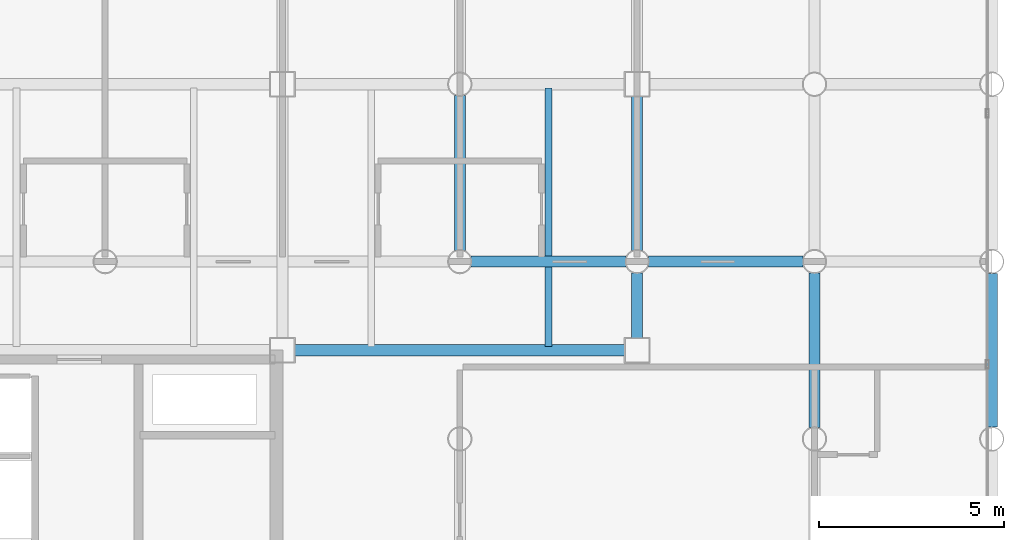
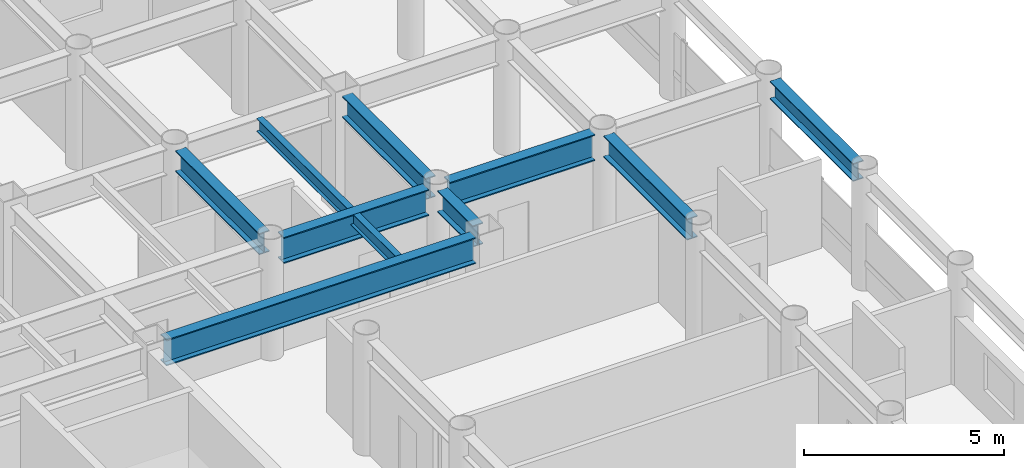
# One storey, part 9 of 22: 9 beams.
"""IFC4 building model written with IfcOpenShell, lengths in metres."""

from ifc_helpers import new_model, si_unit, direction, frame, origin, origin_2d, place, context, subcontext, project, spatial, i_section, extrude, material, material_profile, profile_set, type_object, element, save


model = new_model("IFC4")

# Units and contexts
model_context = context("Model", 3, precision=1e-05, world=origin(), true_north=direction((0.0, 1.0)))
body_context = subcontext(model_context, "Body", "Model", "MODEL_VIEW")
ifc_project = project(units=[si_unit("LENGTHUNIT", "METRE"), si_unit("AREAUNIT", "SQUARE_METRE"), si_unit("VOLUMEUNIT", "CUBIC_METRE"), si_unit("PLANEANGLEUNIT", "RADIAN"), si_unit("MASSUNIT", "GRAM", prefix="KILO")], contexts=[model_context])

# Site, building, storey
site_placement = place(None, origin())
site = spatial("IfcSite", under=ifc_project, at=site_placement, CompositionType="ELEMENT")
building_placement = place(site_placement, origin())
building = spatial("IfcBuilding", under=site, at=building_placement, Name="Kallvorn Hotel Tower", CompositionType="ELEMENT")
storey_placement = place(building_placement, frame((0.0, 0.0, 117.39990234375)))
storey = spatial("IfcBuildingStorey", under=building, at=storey_placement, Name="L28", CompositionType="ELEMENT", Elevation=117.39990234375)

# Beams
ifc_material_1 = material(Name="Structural steel S355JR", Category="steel")
ifc_material_profile_1 = material_profile(ifc_material_1, i_section(OverallWidth=0.300048828125, OverallDepth=0.550048828125, WebThickness=0.014892578125, FlangeThickness=0.029052734375, at=origin_2d()), Name="HE 550 B")
ifc_profile_set_1 = profile_set([ifc_material_profile_1], Name="Structural steel S355JR")
beam_type_1 = type_object("IfcBeamType", Name="BM_HE550B", PredefinedType="SPANDREL", material=ifc_profile_set_1)
beam_1_placement = place(storey_placement, frame((33.60009765625, 5.1201171875, 3.2451171875), z_axis=(0.0, 1.0, 0.0), x_axis=(-1.0, 0.0, 0.0)))
element("IfcBeam", 1, at=beam_1_placement, inside=storey, type_object=beam_type_1, Name="L29 Perimeter Spandrel 186", PredefinedType="SPANDREL", context=body_context, shape_type="SweptSolid", body=[
    extrude(i_section(OverallWidth=0.300048828125, OverallDepth=0.550048828125, WebThickness=0.014892578125, FlangeThickness=0.029052734375, at=origin_2d()), origin(), (0.0, 0.0, 1.0), 4.159912109375),
])
ifc_material_2 = material(Name="Structural steel S355JR", Category="steel")
ifc_material_profile_2 = material_profile(ifc_material_2, i_section(OverallWidth=0.300048828125, OverallDepth=0.64990234375, WebThickness=0.01611328125, FlangeThickness=0.031005859375, at=origin_2d()), Name="HE 650 B")
ifc_profile_set_2 = profile_set([ifc_material_profile_2], Name="Structural steel S355JR")
beam_type_2 = type_object("IfcBeamType", Name="BM_HE650B", PredefinedType="BEAM", material=ifc_profile_set_2)
beam_2_placement = place(storey_placement, frame((19.199951171875, 9.905029296875, 3.195068359375), z_axis=(0.0, 1.0, 0.0), x_axis=(-1.0, 0.0, 0.0)))
element("IfcBeam", 2, at=beam_2_placement, inside=storey, type_object=beam_type_2, Name="L29 Primary Y-Girder 132", PredefinedType="BEAM", context=body_context, shape_type="SweptSolid", body=[
    extrude(i_section(OverallWidth=0.300048828125, OverallDepth=0.64990234375, WebThickness=0.01611328125, FlangeThickness=0.031005859375, at=origin_2d()), origin(), (0.0, 0.0, 1.0), 4.18994140625),
])
beam_3_placement = place(storey_placement, frame((24.0, 7.52490234375, 3.195068359375), z_axis=(0.0, 1.0, 0.0), x_axis=(-1.0, 0.0, 0.0)))
element("IfcBeam", 3, at=beam_3_placement, inside=storey, type_object=beam_type_2, Name="L29 Primary Y-Girder 138", PredefinedType="BEAM", context=body_context, shape_type="SweptSolid", body=[
    extrude(i_section(OverallWidth=0.300048828125, OverallDepth=0.64990234375, WebThickness=0.01611328125, FlangeThickness=0.031005859375, at=origin_2d()), origin(), (0.0, 0.0, 1.0), 1.77001953125),
])
beam_4_placement = place(storey_placement, frame((24.0, 9.905029296875, 3.195068359375), z_axis=(0.0, 1.0, 0.0), x_axis=(-1.0, 0.0, 0.0)))
element("IfcBeam", 4, at=beam_4_placement, inside=storey, type_object=beam_type_2, Name="L29 Primary Y-Girder 139", PredefinedType="BEAM", context=body_context, shape_type="SweptSolid", body=[
    extrude(i_section(OverallWidth=0.300048828125, OverallDepth=0.64990234375, WebThickness=0.01611328125, FlangeThickness=0.031005859375, at=origin_2d()), origin(), (0.0, 0.0, 1.0), 4.169921875),
])
beam_5_placement = place(storey_placement, frame((28.800048828125, 5.10498046875, 3.195068359375), z_axis=(0.0, 1.0, 0.0), x_axis=(-1.0, 0.0, 0.0)))
element("IfcBeam", 5, at=beam_5_placement, inside=storey, type_object=beam_type_2, Name="L29 Primary Y-Girder 147", PredefinedType="BEAM", context=body_context, shape_type="SweptSolid", body=[
    extrude(i_section(OverallWidth=0.300048828125, OverallDepth=0.64990234375, WebThickness=0.01611328125, FlangeThickness=0.031005859375, at=origin_2d()), origin(), (0.0, 0.0, 1.0), 4.18994140625),
])
ifc_material_3 = material(Name="Structural steel S355JR", Category="steel")
ifc_material_profile_3 = material_profile(ifc_material_3, i_section(OverallWidth=0.300048828125, OverallDepth=0.800048828125, WebThickness=0.017578125, FlangeThickness=0.032958984375, at=origin_2d()), Name="HE 800 B")
ifc_profile_set_3 = profile_set([ifc_material_profile_3], Name="Structural steel S355JR")
beam_type_3 = type_object("IfcBeamType", Name="BM_HE800B", PredefinedType="BEAM", material=ifc_profile_set_3)
beam_6_placement = place(storey_placement, frame((14.72509765625, 7.199951171875, 3.1201171875), z_axis=(1.0, 0.0, 0.0), x_axis=(0.0, 1.0, 0.0)))
element("IfcBeam", 6, at=beam_6_placement, inside=storey, type_object=beam_type_3, Name="L29 Primary X-Girder 40", PredefinedType="BEAM", context=body_context, shape_type="SweptSolid", body=[
    extrude(i_section(OverallWidth=0.300048828125, OverallDepth=0.800048828125, WebThickness=0.017578125, FlangeThickness=0.032958984375, at=origin_2d()), origin(), (0.0, 0.0, 1.0), 8.949951171875),
])
for number, where, z_axis, x_axis, name in (
    (7, (19.5048828125, 9.60009765625, 3.1201171875), (1.0, 0.0, 0.0), (0.0, 1.0, 0.0), "L29 Primary X-Girder 47"),
    (8, (24.304931640625, 9.60009765625, 3.1201171875), (1.0, 0.0, 0.0), (0.0, 1.0, 0.0), "L29 Primary X-Girder 48"),
):
    element("IfcBeam", number, at=place(storey_placement, frame(where, z_axis=z_axis, x_axis=x_axis)), inside=storey, type_object=beam_type_3, Name=name, PredefinedType="BEAM", context=body_context, shape_type="SweptSolid", body=[
        extrude(i_section(OverallWidth=0.300048828125, OverallDepth=0.800048828125, WebThickness=0.017578125, FlangeThickness=0.032958984375, at=origin_2d()), origin(), (0.0, 0.0, 1.0), 4.190185546875),
    ])
ifc_material_4 = material(Name="Structural steel S355JR", Category="steel")
ifc_material_profile_4 = material_profile(ifc_material_4, i_section(OverallWidth=0.179931640625, OverallDepth=0.39990234375, WebThickness=0.008544921875, FlangeThickness=0.013427734375, at=origin_2d()), Name="IPE 400")
ifc_profile_set_4 = profile_set([ifc_material_profile_4], Name="Structural steel S355JR")
beam_type_4 = type_object("IfcBeamType", Name="BM_IPE400", PredefinedType="JOIST", material=ifc_profile_set_4)
beam_7_placement = place(storey_placement, frame((21.60009765625, 7.300048828125, 3.320068359375), z_axis=(0.0, 1.0, 0.0), x_axis=(-1.0, 0.0, 0.0)))
element("IfcBeam", 9, at=beam_7_placement, inside=storey, type_object=beam_type_4, Name="L29 Secondary Composite Joist 209", PredefinedType="JOIST", context=body_context, shape_type="SweptSolid", body=[
    extrude(i_section(OverallWidth=0.179931640625, OverallDepth=0.39990234375, WebThickness=0.008544921875, FlangeThickness=0.013427734375, at=origin_2d()), origin(), (0.0, 0.0, 1.0), 7.0),
])

save(model, "model.ifc")
